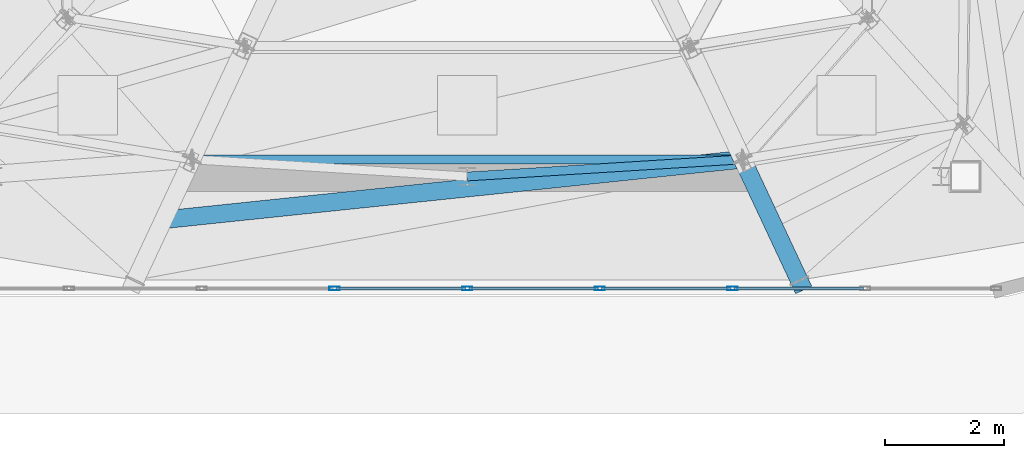
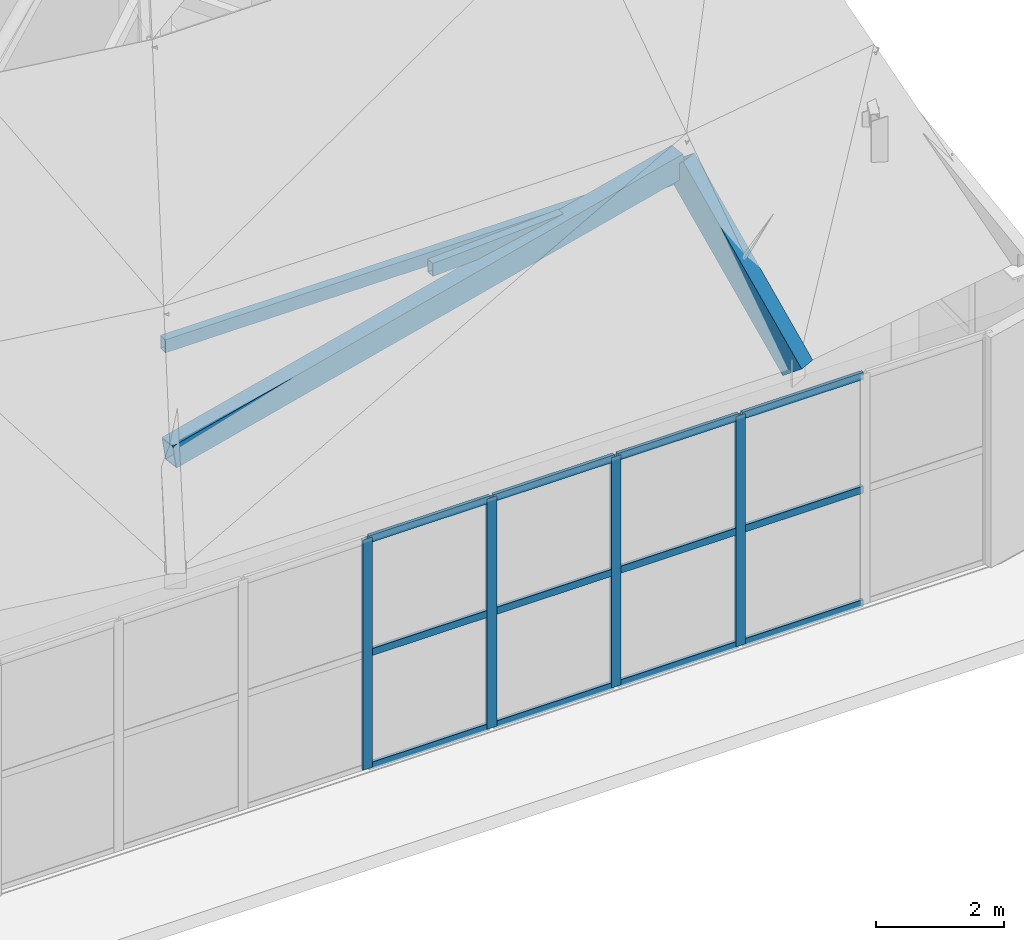
# One storey, part 4 of 30: 20 members, 1 element without a shape of its own.
"""IFC4 building model written with IfcOpenShell, lengths in metres."""

from ifc_helpers import new_model, si_unit, direction, frame, origin, origin_2d, place, context, subcontext, project, spatial, hollow_rectangle, extrude, material, layer, layer_set, material_profile, profile_set, type_object, element, aggregate, save


model = new_model("IFC4")

# Units and contexts
model_context = context("Model", 3, precision=1e-05, world=origin(), true_north=direction((0.0, 1.0)))
body_context = subcontext(model_context, "Body", "Model", "MODEL_VIEW")
ifc_project = project(units=[si_unit("LENGTHUNIT", "METRE"), si_unit("AREAUNIT", "SQUARE_METRE"), si_unit("VOLUMEUNIT", "CUBIC_METRE"), si_unit("PLANEANGLEUNIT", "RADIAN"), si_unit("MASSUNIT", "GRAM", prefix="KILO")], contexts=[model_context])

# Site, building, storey
site_placement = place(None, origin())
site = spatial("IfcSite", under=ifc_project, at=site_placement, CompositionType="ELEMENT")
building_placement = place(site_placement, origin())
building = spatial("IfcBuilding", under=site, at=building_placement, Name="Haolan Belvedere Tower", CompositionType="ELEMENT")
storey_placement = place(building_placement, frame((0.0, 0.0, 333.0)))
storey = spatial("IfcBuildingStorey", under=building, at=storey_placement, Name="L83", CompositionType="ELEMENT", Elevation=333.0)

# Curtain wall, members
ifc_material_1 = material(Name="Anodised champagne-silver aluminium 6063-T6 and Low-E glass", Category="aluminium")
ifc_layer = layer(ifc_material_1, 0.172119140625, Name="Anodised champagne-silver aluminium 6063-T6 and Low-E glass")
ifc_layer_set = layer_set([ifc_layer], Name="Anodised champagne-silver aluminium 6063-T6 and Low-E glass")
curtain_wall_type = type_object("IfcCurtainWallType", Name="CW-SYS-07", PredefinedType="NOTDEFINED", material=ifc_layer_set)
curtain_wall_placement = place(storey_placement, origin())
curtain_wall = element("IfcCurtainWall", 1, at=curtain_wall_placement, inside=storey, type_object=curtain_wall_type, Name="L83 CW-SYS-07 ribbon curtain wall 2.1", PredefinedType="NOTDEFINED")
ifc_material_2 = material(Name="Anodised aluminium 6063-T6", Category="aluminium")
ifc_material_profile_1 = material_profile(ifc_material_2, hollow_rectangle(XDim=0.06201171875, YDim=0.172119140625, WallThickness=0.00390625, at=origin_2d()), Name="Anodised aluminium 6063-T6")
ifc_profile_set_1 = profile_set([ifc_material_profile_1], Name="Anodised aluminium 6063-T6")
member_type_1 = type_object("IfcMemberType", Name="CW-SYS-07-MUL", PredefinedType="MULLION", material=ifc_profile_set_1)
member_1_placement = place(storey_placement, frame((36.161376953125, 24.510009765625, 0.0), z_axis=(0.0, 0.0, 1.0), x_axis=(0.0, 1.0, 0.0)))
member_1 = element("IfcMember", 2, at=member_1_placement, type_object=member_type_1, Name="CW-07 mullion 4", PredefinedType="MULLION", context=body_context, shape_type="SweptSolid", body=[
    extrude(hollow_rectangle(XDim=0.06201171875, YDim=0.172119140625, WallThickness=0.00390625, at=origin_2d()), origin(), (0.0, 0.0, 1.0), 4.3798828125),
])
member_2_placement = place(storey_placement, frame((38.39990234375, 24.510009765625, 0.0), z_axis=(0.0, 0.0, 1.0), x_axis=(0.0, 1.0, 0.0)))
member_2 = element("IfcMember", 3, at=member_2_placement, type_object=member_type_1, Name="CW-07 mullion 5", PredefinedType="MULLION", context=body_context, shape_type="SweptSolid", body=[
    extrude(hollow_rectangle(XDim=0.06201171875, YDim=0.172119140625, WallThickness=0.00390625, at=origin_2d()), origin(), (0.0, 0.0, 1.0), 4.3798828125),
])
member_3_placement = place(storey_placement, frame((40.638427734375, 24.510009765625, 0.0), z_axis=(0.0, 0.0, 1.0), x_axis=(0.0, 1.0, 0.0)))
member_3 = element("IfcMember", 4, at=member_3_placement, type_object=member_type_1, Name="CW-07 mullion 6", PredefinedType="MULLION", context=body_context, shape_type="SweptSolid", body=[
    extrude(hollow_rectangle(XDim=0.06201171875, YDim=0.172119140625, WallThickness=0.00390625, at=origin_2d()), origin(), (0.0, 0.0, 1.0), 4.3798828125),
])
member_4_placement = place(storey_placement, frame((42.876953125, 24.510009765625, 0.0), z_axis=(0.0, 0.0, 1.0), x_axis=(0.0, 1.0, 0.0)))
member_4 = element("IfcMember", 5, at=member_4_placement, type_object=member_type_1, Name="CW-07 mullion 7", PredefinedType="MULLION", context=body_context, shape_type="SweptSolid", body=[
    extrude(hollow_rectangle(XDim=0.06201171875, YDim=0.172119140625, WallThickness=0.00390625, at=origin_2d()), origin(), (0.0, 0.0, 1.0), 4.3798828125),
])
ifc_material_profile_2 = material_profile(ifc_material_2, hollow_rectangle(XDim=0.05810546875, YDim=0.135009765625, WallThickness=0.00390625, at=origin_2d()), Name="Anodised aluminium 6063-T6")
ifc_profile_set_2 = profile_set([ifc_material_profile_2], Name="Anodised aluminium 6063-T6")
member_type_2 = type_object("IfcMemberType", Name="CW-SYS-07-TRN", PredefinedType="USERDEFINED", material=ifc_profile_set_2)
member_5_placement = place(storey_placement, frame((36.1923828125, 24.510009765625, 0.029052734375), z_axis=(1.0, 0.0, 0.0), x_axis=(0.0, 1.0, 0.0)))
member_5 = element("IfcMember", 6, at=member_5_placement, type_object=member_type_2, Name="CW-07 transom 4.1", ObjectType="TRANSOM", PredefinedType="USERDEFINED", context=body_context, shape_type="SweptSolid", body=[
    extrude(hollow_rectangle(XDim=0.05810546875, YDim=0.135009765625, WallThickness=0.00390625, at=origin_2d()), origin(), (0.0, 0.0, 1.0), 2.176513671875),
])
member_6_placement = place(storey_placement, frame((36.1923828125, 24.510009765625, 2.18994140625), z_axis=(1.0, 0.0, 0.0), x_axis=(0.0, 1.0, 0.0)))
member_6 = element("IfcMember", 7, at=member_6_placement, type_object=member_type_2, Name="CW-07 transom 4.2", ObjectType="TRANSOM", PredefinedType="USERDEFINED", context=body_context, shape_type="SweptSolid", body=[
    extrude(hollow_rectangle(XDim=0.05810546875, YDim=0.135009765625, WallThickness=0.00390625, at=origin_2d()), origin(), (0.0, 0.0, 1.0), 2.176513671875),
])
member_7_placement = place(storey_placement, frame((36.1923828125, 24.510009765625, 4.35107421875), z_axis=(1.0, 0.0, 0.0), x_axis=(0.0, 1.0, 0.0)))
member_7 = element("IfcMember", 8, at=member_7_placement, type_object=member_type_2, Name="CW-07 transom 4.3", ObjectType="TRANSOM", PredefinedType="USERDEFINED", context=body_context, shape_type="SweptSolid", body=[
    extrude(hollow_rectangle(XDim=0.05810546875, YDim=0.135009765625, WallThickness=0.00390625, at=origin_2d()), origin(), (0.0, 0.0, 1.0), 2.176513671875),
])
member_8_placement = place(storey_placement, frame((38.430908203125, 24.510009765625, 0.029052734375), z_axis=(1.0, 0.0, 0.0), x_axis=(0.0, 1.0, 0.0)))
member_8 = element("IfcMember", 9, at=member_8_placement, type_object=member_type_2, Name="CW-07 transom 5.1", ObjectType="TRANSOM", PredefinedType="USERDEFINED", context=body_context, shape_type="SweptSolid", body=[
    extrude(hollow_rectangle(XDim=0.05810546875, YDim=0.135009765625, WallThickness=0.00390625, at=origin_2d()), origin(), (0.0, 0.0, 1.0), 2.176513671875),
])
member_9_placement = place(storey_placement, frame((38.430908203125, 24.510009765625, 2.18994140625), z_axis=(1.0, 0.0, 0.0), x_axis=(0.0, 1.0, 0.0)))
member_9 = element("IfcMember", 10, at=member_9_placement, type_object=member_type_2, Name="CW-07 transom 5.2", ObjectType="TRANSOM", PredefinedType="USERDEFINED", context=body_context, shape_type="SweptSolid", body=[
    extrude(hollow_rectangle(XDim=0.05810546875, YDim=0.135009765625, WallThickness=0.00390625, at=origin_2d()), origin(), (0.0, 0.0, 1.0), 2.176513671875),
])
member_10_placement = place(storey_placement, frame((38.430908203125, 24.510009765625, 4.35107421875), z_axis=(1.0, 0.0, 0.0), x_axis=(0.0, 1.0, 0.0)))
member_10 = element("IfcMember", 11, at=member_10_placement, type_object=member_type_2, Name="CW-07 transom 5.3", ObjectType="TRANSOM", PredefinedType="USERDEFINED", context=body_context, shape_type="SweptSolid", body=[
    extrude(hollow_rectangle(XDim=0.05810546875, YDim=0.135009765625, WallThickness=0.00390625, at=origin_2d()), origin(), (0.0, 0.0, 1.0), 2.176513671875),
])
member_11_placement = place(storey_placement, frame((40.66943359375, 24.510009765625, 0.029052734375), z_axis=(1.0, 0.0, 0.0), x_axis=(0.0, 1.0, 0.0)))
member_11 = element("IfcMember", 12, at=member_11_placement, type_object=member_type_2, Name="CW-07 transom 6.1", ObjectType="TRANSOM", PredefinedType="USERDEFINED", context=body_context, shape_type="SweptSolid", body=[
    extrude(hollow_rectangle(XDim=0.05810546875, YDim=0.135009765625, WallThickness=0.00390625, at=origin_2d()), origin(), (0.0, 0.0, 1.0), 2.176513671875),
])
member_12_placement = place(storey_placement, frame((40.66943359375, 24.510009765625, 2.18994140625), z_axis=(1.0, 0.0, 0.0), x_axis=(0.0, 1.0, 0.0)))
member_12 = element("IfcMember", 13, at=member_12_placement, type_object=member_type_2, Name="CW-07 transom 6.2", ObjectType="TRANSOM", PredefinedType="USERDEFINED", context=body_context, shape_type="SweptSolid", body=[
    extrude(hollow_rectangle(XDim=0.05810546875, YDim=0.135009765625, WallThickness=0.00390625, at=origin_2d()), origin(), (0.0, 0.0, 1.0), 2.176513671875),
])
member_13_placement = place(storey_placement, frame((40.66943359375, 24.510009765625, 4.35107421875), z_axis=(1.0, 0.0, 0.0), x_axis=(0.0, 1.0, 0.0)))
member_13 = element("IfcMember", 14, at=member_13_placement, type_object=member_type_2, Name="CW-07 transom 6.3", ObjectType="TRANSOM", PredefinedType="USERDEFINED", context=body_context, shape_type="SweptSolid", body=[
    extrude(hollow_rectangle(XDim=0.05810546875, YDim=0.135009765625, WallThickness=0.00390625, at=origin_2d()), origin(), (0.0, 0.0, 1.0), 2.176513671875),
])
member_14_placement = place(storey_placement, frame((42.907958984375, 24.510009765625, 0.029052734375), z_axis=(1.0, 0.0, 0.0), x_axis=(0.0, 1.0, 0.0)))
member_14 = element("IfcMember", 15, at=member_14_placement, type_object=member_type_2, Name="CW-07 transom 7.1", ObjectType="TRANSOM", PredefinedType="USERDEFINED", context=body_context, shape_type="SweptSolid", body=[
    extrude(hollow_rectangle(XDim=0.05810546875, YDim=0.135009765625, WallThickness=0.00390625, at=origin_2d()), origin(), (0.0, 0.0, 1.0), 2.176513671875),
])
member_15_placement = place(storey_placement, frame((42.907958984375, 24.510009765625, 2.18994140625), z_axis=(1.0, 0.0, 0.0), x_axis=(0.0, 1.0, 0.0)))
member_15 = element("IfcMember", 16, at=member_15_placement, type_object=member_type_2, Name="CW-07 transom 7.2", ObjectType="TRANSOM", PredefinedType="USERDEFINED", context=body_context, shape_type="SweptSolid", body=[
    extrude(hollow_rectangle(XDim=0.05810546875, YDim=0.135009765625, WallThickness=0.00390625, at=origin_2d()), origin(), (0.0, 0.0, 1.0), 2.176513671875),
])
member_16_placement = place(storey_placement, frame((42.907958984375, 24.510009765625, 4.35107421875), z_axis=(1.0, 0.0, 0.0), x_axis=(0.0, 1.0, 0.0)))
member_16 = element("IfcMember", 17, at=member_16_placement, type_object=member_type_2, Name="CW-07 transom 7.3", ObjectType="TRANSOM", PredefinedType="USERDEFINED", context=body_context, shape_type="SweptSolid", body=[
    extrude(hollow_rectangle(XDim=0.05810546875, YDim=0.135009765625, WallThickness=0.00390625, at=origin_2d()), origin(), (0.0, 0.0, 1.0), 2.176513671875),
])
aggregate(curtain_wall, [member_1, member_2, member_3, member_4, member_5, member_6, member_7, member_8, member_9, member_10, member_11, member_12, member_13, member_14, member_15, member_16])

# Members
ifc_material_3 = material(Name="Steel Q355B", Category="steel")
ifc_material_profile_3 = material_profile(ifc_material_3, hollow_rectangle(XDim=0.300048828125, YDim=0.449951171875, WallThickness=0.01611328125, at=origin_2d()), Name="Steel Q355B")
ifc_profile_set_3 = profile_set([ifc_material_profile_3], Name="Steel Q355B")
member_type_3 = type_object("IfcMemberType", Name="MEM-BOX450x300x16", PredefinedType="RAFTER", material=ifc_profile_set_3)
member_17_placement = place(storey_placement, frame((33.277587890625, 25.66943359375, 6.302001953125), z_axis=(0.982864325005, 0.102571078261, 0.153156431587), x_axis=(-0.103795663986, 0.994598642739, 0.0)))
element("IfcMember", 18, at=member_17_placement, inside=storey, type_object=member_type_3, Name="Crown frame Tier-1 diagonal hip rafter 02", PredefinedType="RAFTER", context=body_context, shape_type="SweptSolid", body=[
    extrude(hollow_rectangle(XDim=0.300048828125, YDim=0.449951171875, WallThickness=0.01611328125, at=origin_2d()), origin(), (0.0, 0.0, 1.0), 9.937255859375),
])
member_18_placement = place(storey_placement, frame((44.0, 24.64990234375, 4.780029296875), z_axis=(-0.252319425848, 0.538492084145, 0.803965908887), x_axis=(-0.90552273529, -0.424297744365, 0.0)))
element("IfcMember", 19, at=member_18_placement, inside=storey, type_object=member_type_3, Name="Crown frame sloped hip rafter T1-03", PredefinedType="RAFTER", context=body_context, shape_type="SweptSolid", body=[
    extrude(hollow_rectangle(XDim=0.300048828125, YDim=0.449951171875, WallThickness=0.01611328125, at=origin_2d()), origin(), (0.0, 0.0, 1.0), 3.7861328125),
])
ifc_material_profile_4 = material_profile(ifc_material_3, hollow_rectangle(XDim=0.14990234375, YDim=0.25, WallThickness=0.010009765625, at=origin_2d()), Name="Steel Q355B")
ifc_profile_set_4 = profile_set([ifc_material_profile_4], Name="Steel Q355B")
member_type_4 = type_object("IfcMemberType", Name="MEM-RHS250x150x10", PredefinedType="PURLIN", material=ifc_profile_set_4)
member_19_placement = place(storey_placement, frame((38.39990234375, 26.39990234375, 7.583984375), z_axis=(0.998072328692, 0.062061475156, 0.0), x_axis=(-0.062061475156, 0.998072328692, 0.0)))
element("IfcMember", 20, at=member_19_placement, inside=storey, type_object=member_type_4, Name="Crown Tier-1 post-to-ring chord 03", PredefinedType="STRUT", context=body_context, shape_type="SweptSolid", body=[
    extrude(hollow_rectangle(XDim=0.14990234375, YDim=0.25, WallThickness=0.010009765625, at=origin_2d()), origin(), (0.0, 0.0, 1.0), 4.65380859375),
])
member_20_placement = place(storey_placement, frame((33.75537109375, 26.688720703125, 7.583984375), z_axis=(1.0, 0.0, 0.0), x_axis=(0.0, 1.0, 0.0)))
element("IfcMember", 21, at=member_20_placement, inside=storey, type_object=member_type_4, Name="Crown frame horizontal ring purlin T1-02", PredefinedType="PURLIN", context=body_context, shape_type="SweptSolid", body=[
    extrude(hollow_rectangle(XDim=0.14990234375, YDim=0.25, WallThickness=0.010009765625, at=origin_2d()), origin(), (0.0, 0.0, 1.0), 9.289306640625),
])

save(model, "model.ifc")
